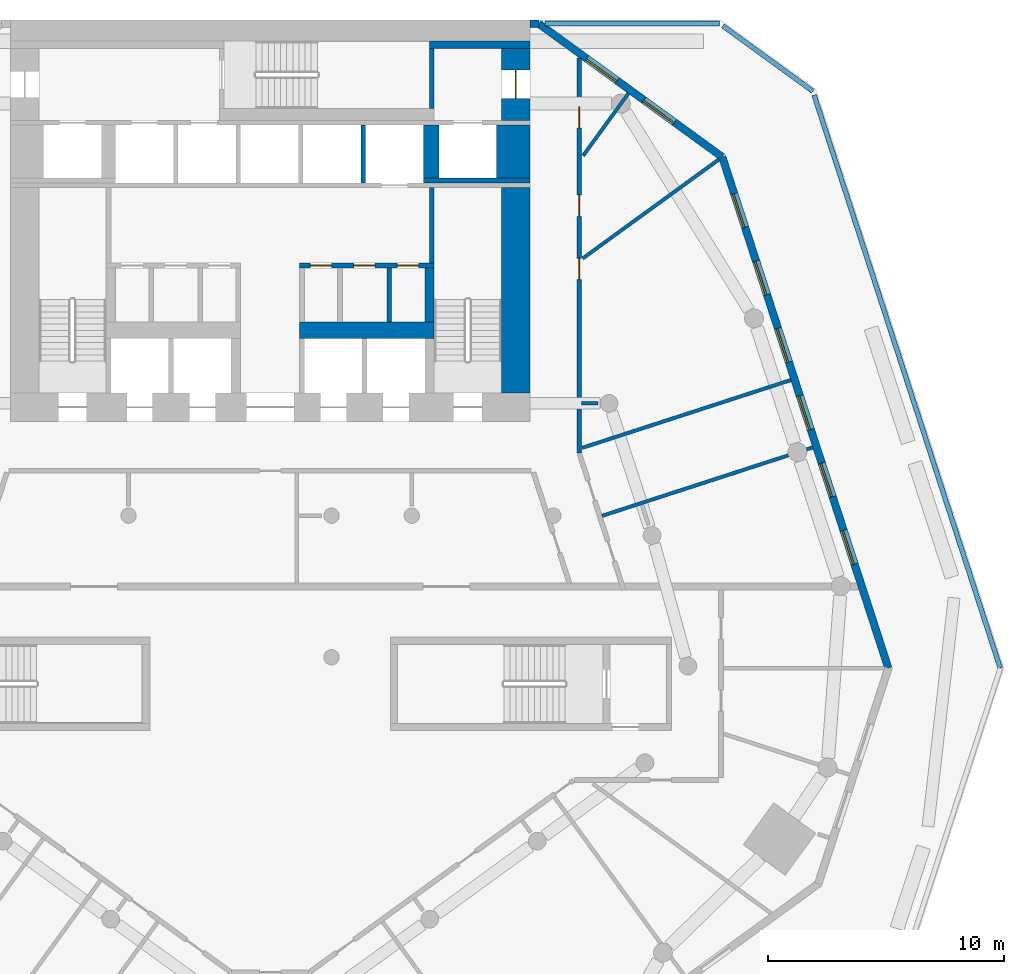
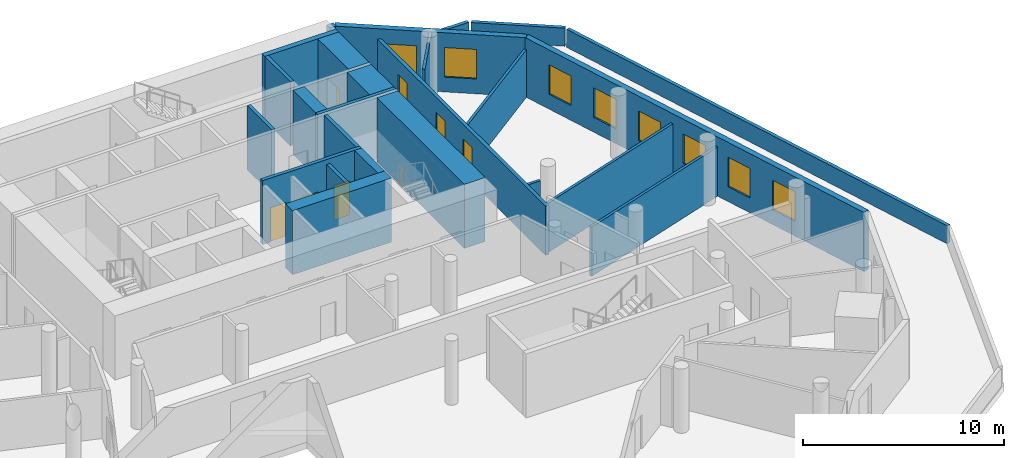
# One storey, part 7 of 10: 25 walls, 8 windows, 7 doors, 15 openings.
"""IFC4 building model written with IfcOpenShell, lengths in metres."""

from ifc_helpers import new_model, si_unit, direction, frame, frame_2d, origin, place, context, subcontext, project, spatial, rectangle, extrude, material, layer, layer_set, type_object, element, fill, save


model = new_model("IFC4")

# Units and contexts
model_context = context("Model", 3, precision=1e-05, world=origin(), true_north=direction((0.0, 1.0)))
body_context = subcontext(model_context, "Body", "Model", "MODEL_VIEW")
ifc_project = project(units=[si_unit("LENGTHUNIT", "METRE"), si_unit("AREAUNIT", "SQUARE_METRE"), si_unit("VOLUMEUNIT", "CUBIC_METRE"), si_unit("PLANEANGLEUNIT", "RADIAN"), si_unit("MASSUNIT", "GRAM", prefix="KILO")], contexts=[model_context])

# Site, building, storey
site_placement = place(None, origin())
site = spatial("IfcSite", under=ifc_project, at=site_placement, CompositionType="ELEMENT")
building_placement = place(site_placement, origin())
building = spatial("IfcBuilding", under=site, at=building_placement, Name="White Candle Pilgrim Tower", CompositionType="ELEMENT")
storey_placement = place(building_placement, frame((0.0, 0.0, 39.0)))
storey = spatial("IfcBuildingStorey", under=building, at=storey_placement, Name="L06", CompositionType="ELEMENT", Elevation=39.0)

# Wall, opening, door
ifc_material_1 = material(Name="Concrete C70/85", Category="concrete")
ifc_layer_1 = layer(ifc_material_1, 1.199951171875)
ifc_layer_set_1 = layer_set([ifc_layer_1], Name="Core wall 1200 mm Concrete C70/85")
wall_type_1 = type_object("IfcWallType", Name="Core wall 1200 mm Concrete C70/85", PredefinedType="SHEAR", material=ifc_layer_set_1)
wall_1_placement = place(storey_placement, frame((80.39990234375, 83.75, 0.0), z_axis=(0.0, 0.0, 1.0), x_axis=(0.0, 1.0, 0.0)))
wall_1 = element("IfcWall", 1, at=wall_1_placement, inside=storey, type_object=wall_type_1, Name="WL-L06-C48", PredefinedType="SHEAR", context=body_context, shape_type="SweptSolid", body=[
    extrude(rectangle(XDim=3.050048828125, YDim=1.199951171875, at=frame_2d((1.52490234375, 0.0))), origin(), (0.0, 0.0, 1.0), 3.89990234375),
])
opening_1_placement = place(wall_1_placement, frame((0.925048828125, 0.0, 0.0)))
opening_1 = element("IfcOpeningElement", 2, at=opening_1_placement, cuts=wall_1, Name="Opening T01-006", PredefinedType="OPENING", context=body_context, shape_type="SweptSolid", body=[
    extrude(rectangle(XDim=1.199951171875, YDim=2.10009765625, at=frame_2d((0.60009765625, 1.050048828125))), frame((0.0, 0.60986328125, 0.0), z_axis=(0.0, -1.0, 0.0), x_axis=(1.0, 0.0, 0.0)), (0.0, 0.0, 1.0), 1.219970703125),
])
ifc_material_2 = material(Name="Steel door leaf", Category="steel")
door_type_1 = type_object("IfcDoorType", Name="Fire door 1200 x 2100 EI 30", OperationType="NOTDEFINED", PredefinedType="DOOR", material=ifc_material_2)
door_1_placement = place(opening_1_placement, origin())
door_1 = element("IfcDoor", 3, at=door_1_placement, inside=storey, type_object=door_type_1, Name="Door T01-006", OperationType="SINGLE_SWING_RIGHT", OverallHeight=2.10009765625, OverallWidth=1.199951171875, PredefinedType="DOOR", context=body_context, shape_type="SweptSolid", body=[
    extrude(rectangle(XDim=1.199951171875, YDim=2.10009765625, at=frame_2d((0.60009765625, 1.050048828125))), frame((0.0, 0.02490234375, 0.0), z_axis=(0.0, -1.0, 0.0), x_axis=(1.0, 0.0, 0.0)), (0.0, 0.0, 1.0), 0.050048828125),
])
fill(opening_1, door_1)

# Walls
ifc_layer_2 = layer(ifc_material_1, 1.39990234375)
ifc_layer_set_2 = layer_set([ifc_layer_2], Name="Core wall 1400 mm Concrete C70/85")
wall_type_2 = type_object("IfcWallType", Name="Core wall 1400 mm Concrete C70/85", PredefinedType="SHEAR", material=ifc_layer_set_2)
wall_2_placement = place(storey_placement, frame((80.300048828125, 81.300048828125, 0.0), z_axis=(0.0, 0.0, 1.0), x_axis=(0.0, 1.0, 0.0)))
element("IfcWall", 4, at=wall_2_placement, inside=storey, type_object=wall_type_2, Name="WL-L06-C44", PredefinedType="SHEAR", context=body_context, shape_type="SweptSolid", body=[
    extrude(rectangle(XDim=2.25, YDim=1.39990234375, at=frame_2d((1.125, 0.0))), origin(), (0.0, 0.0, 1.0), 3.89990234375),
])
ifc_layer_3 = layer(ifc_material_1, 0.199951171875)
ifc_layer_set_3 = layer_set([ifc_layer_3], Name="Core wall 200 mm Concrete C70/85")
wall_type_3 = type_object("IfcWallType", Name="Core wall 200 mm Concrete C70/85", PredefinedType="SHEAR", material=ifc_layer_set_3)
wall_3_placement = place(storey_placement, frame((76.5, 81.199951171875, 0.0), z_axis=(0.0, 0.0, 1.0), x_axis=(1.0, 0.0, 0.0)))
element("IfcWall", 5, at=wall_3_placement, inside=storey, type_object=wall_type_3, Name="WL-L06-C40", PredefinedType="SHEAR", context=body_context, shape_type="SweptSolid", body=[
    extrude(rectangle(XDim=4.5, YDim=0.199951171875, at=frame_2d((2.25, 0.0))), origin(), (0.0, 0.0, 1.0), 3.89990234375),
])

# Wall, openings, doors
ifc_material_3 = material(Name="Gypsum board on steel studs", Category="steel")
ifc_layer_4 = layer(ifc_material_3, 0.199951171875)
ifc_layer_set_4 = layer_set([ifc_layer_4], Name="Corridor wall 200 mm EI 45")
wall_type_4 = type_object("IfcWallType", Name="Corridor wall 200 mm EI 45", PredefinedType="PARTITIONING", material=ifc_layer_set_4)
wall_4_placement = place(storey_placement, frame((83.10009765625, 86.396240234375, 0.0), z_axis=(0.0, 0.0, 1.0), x_axis=(0.0, -1.0, 0.0)))
wall_4 = element("IfcWall", 6, at=wall_4_placement, inside=storey, type_object=wall_type_4, Name="WL-L06-P004", PredefinedType="PARTITIONING", context=body_context, shape_type="SweptSolid", body=[
    extrude(rectangle(XDim=16.745849609375, YDim=0.199951171875, at=frame_2d((8.373046875, 0.0))), origin(), (0.0, 0.0, 1.0), 3.0),
])
opening_2_placement = place(wall_4_placement, frame((2.06201171875, 0.0, 0.0)))
opening_2 = element("IfcOpeningElement", 7, at=opening_2_placement, cuts=wall_4, Name="Opening T01-122", PredefinedType="OPENING", context=body_context, shape_type="SweptSolid", body=[
    extrude(rectangle(XDim=0.89990234375, YDim=2.10009765625, at=frame_2d((0.449951171875, 1.050048828125))), frame((0.0, 0.10986328125, 0.0), z_axis=(0.0, -1.0, 0.0), x_axis=(1.0, 0.0, 0.0)), (0.0, 0.0, 1.0), 0.219970703125),
])
opening_3_placement = place(wall_4_placement, frame((5.81787109375, 0.0, 0.0)))
opening_3 = element("IfcOpeningElement", 8, at=opening_3_placement, cuts=wall_4, Name="Opening T01-123", PredefinedType="OPENING", context=body_context, shape_type="SweptSolid", body=[
    extrude(rectangle(XDim=0.89990234375, YDim=2.10009765625, at=frame_2d((0.449951171875, 1.050048828125))), frame((0.0, 0.10986328125, 0.0), z_axis=(0.0, -1.0, 0.0), x_axis=(1.0, 0.0, 0.0)), (0.0, 0.0, 1.0), 0.219970703125),
])
opening_4_placement = place(wall_4_placement, frame((8.498046875, 0.0, 0.0)))
opening_4 = element("IfcOpeningElement", 9, at=opening_4_placement, cuts=wall_4, Name="Opening T01-124", PredefinedType="OPENING", context=body_context, shape_type="SweptSolid", body=[
    extrude(rectangle(XDim=0.89990234375, YDim=2.10009765625, at=frame_2d((0.449951171875, 1.050048828125))), frame((0.0, 0.10986328125, 0.0), z_axis=(0.0, -1.0, 0.0), x_axis=(1.0, 0.0, 0.0)), (0.0, 0.0, 1.0), 0.219970703125),
])
door_type_2 = type_object("IfcDoorType", Name="Fire door 900 x 2100 EI 30", OperationType="NOTDEFINED", PredefinedType="DOOR", material=ifc_material_2)
door_2_placement = place(opening_2_placement, origin())
door_2 = element("IfcDoor", 10, at=door_2_placement, inside=storey, type_object=door_type_2, Name="Door T01-122", OperationType="SINGLE_SWING_RIGHT", OverallHeight=2.10009765625, OverallWidth=0.89990234375, PredefinedType="DOOR", context=body_context, shape_type="SweptSolid", body=[
    extrude(rectangle(XDim=0.89990234375, YDim=2.10009765625, at=frame_2d((0.449951171875, 1.050048828125))), frame((0.0, 0.02490234375, 0.0), z_axis=(0.0, -1.0, 0.0), x_axis=(1.0, 0.0, 0.0)), (0.0, 0.0, 1.0), 0.050048828125),
])
fill(opening_2, door_2)
door_3_placement = place(opening_3_placement, origin())
door_3 = element("IfcDoor", 11, at=door_3_placement, inside=storey, type_object=door_type_2, Name="Door T01-123", OperationType="SINGLE_SWING_LEFT", OverallHeight=2.10009765625, OverallWidth=0.89990234375, PredefinedType="DOOR", context=body_context, shape_type="SweptSolid", body=[
    extrude(rectangle(XDim=0.89990234375, YDim=2.10009765625, at=frame_2d((0.449951171875, 1.050048828125))), frame((0.0, 0.02490234375, 0.0), z_axis=(0.0, -1.0, 0.0), x_axis=(1.0, 0.0, 0.0)), (0.0, 0.0, 1.0), 0.050048828125),
])
fill(opening_3, door_3)
door_4_placement = place(opening_4_placement, frame((0.89990234375, 0.0, 0.0), z_axis=(0.0, 0.0, 1.0), x_axis=(-1.0, 0.0, 0.0)))
door_4 = element("IfcDoor", 12, at=door_4_placement, inside=storey, type_object=door_type_2, Name="Door T01-124", OperationType="SINGLE_SWING_LEFT", OverallHeight=2.10009765625, OverallWidth=0.89990234375, PredefinedType="DOOR", context=body_context, shape_type="SweptSolid", body=[
    extrude(rectangle(XDim=0.89990234375, YDim=2.10009765625, at=frame_2d((0.449951171875, 1.050048828125))), frame((0.0, 0.02490234375, 0.0), z_axis=(0.0, -1.0, 0.0), x_axis=(1.0, 0.0, 0.0)), (0.0, 0.0, 1.0), 0.050048828125),
])
fill(opening_4, door_4)

# Wall, openings, windows
ifc_material_4 = material(Name="Precast concrete C40/50", Category="concrete")
ifc_layer_5 = layer(ifc_material_4, 0.320068359375)
ifc_layer_set_5 = layer_set([ifc_layer_5], Name="Facade wall EW1 precast concrete C40/50 pier wall with timber-lined reveals")
wall_type_5 = type_object("IfcWallType", Name="Facade wall EW1 precast concrete C40/50 pier wall with timber-lined reveals", PredefinedType="SOLIDWALL", material=ifc_layer_set_5)
wall_5_placement = place(storey_placement, frame((96.19140625, 60.5390625, 0.0), z_axis=(0.0, 0.0, 1.0), x_axis=(-0.309016733543, 0.951056601045, 0.0)))
wall_5 = element("IfcWall", 13, at=wall_5_placement, inside=storey, type_object=wall_type_5, Name="Facade wall L06 ENE", PredefinedType="SOLIDWALL", context=body_context, shape_type="SweptSolid", body=[
    extrude(rectangle(XDim=22.770263671875, YDim=0.320068359375, at=frame_2d((11.38525390625, 0.0))), origin(), (0.0, 0.0, 1.0), 3.60009765625),
])
opening_5_placement = place(wall_5_placement, frame((4.635009765625, 0.0, 0.89990234375)))
opening_5 = element("IfcOpeningElement", 14, at=opening_5_placement, cuts=wall_5, Name="Opening W1", PredefinedType="OPENING", context=body_context, shape_type="SweptSolid", body=[
    extrude(rectangle(XDim=1.5, YDim=1.800048828125, at=frame_2d((0.75, 0.89990234375))), frame((0.0, 0.169921875, 0.0), z_axis=(0.0, -1.0, 0.0), x_axis=(1.0, 0.0, 0.0)), (0.0, 0.0, 1.0), 0.340087890625),
])
opening_6_placement = place(wall_5_placement, frame((7.635009765625, 0.0, 0.89990234375)))
opening_6 = element("IfcOpeningElement", 15, at=opening_6_placement, cuts=wall_5, Name="Opening W1", PredefinedType="OPENING", context=body_context, shape_type="SweptSolid", body=[
    extrude(rectangle(XDim=1.5, YDim=1.800048828125, at=frame_2d((0.75, 0.89990234375))), frame((0.0, 0.169921875, 0.0), z_axis=(0.0, -1.0, 0.0), x_axis=(1.0, 0.0, 0.0)), (0.0, 0.0, 1.0), 0.340087890625),
])
opening_7_placement = place(wall_5_placement, frame((10.635009765625, 0.0, 0.89990234375)))
opening_7 = element("IfcOpeningElement", 16, at=opening_7_placement, cuts=wall_5, Name="Opening W1", PredefinedType="OPENING", context=body_context, shape_type="SweptSolid", body=[
    extrude(rectangle(XDim=1.5, YDim=1.800048828125, at=frame_2d((0.75, 0.89990234375))), frame((0.0, 0.169921875, 0.0), z_axis=(0.0, -1.0, 0.0), x_axis=(1.0, 0.0, 0.0)), (0.0, 0.0, 1.0), 0.340087890625),
])
opening_8_placement = place(wall_5_placement, frame((13.635009765625, 0.0, 0.89990234375)))
opening_8 = element("IfcOpeningElement", 17, at=opening_8_placement, cuts=wall_5, Name="Opening W1", PredefinedType="OPENING", context=body_context, shape_type="SweptSolid", body=[
    extrude(rectangle(XDim=1.5, YDim=1.800048828125, at=frame_2d((0.75, 0.89990234375))), frame((0.0, 0.169921875, 0.0), z_axis=(0.0, -1.0, 0.0), x_axis=(1.0, 0.0, 0.0)), (0.0, 0.0, 1.0), 0.340087890625),
])
opening_9_placement = place(wall_5_placement, frame((16.635009765625, 0.0, 0.89990234375)))
opening_9 = element("IfcOpeningElement", 18, at=opening_9_placement, cuts=wall_5, Name="Opening W1", PredefinedType="OPENING", context=body_context, shape_type="SweptSolid", body=[
    extrude(rectangle(XDim=1.5, YDim=1.800048828125, at=frame_2d((0.75, 0.89990234375))), frame((0.0, 0.169921875, 0.0), z_axis=(0.0, -1.0, 0.0), x_axis=(1.0, 0.0, 0.0)), (0.0, 0.0, 1.0), 0.340087890625),
])
opening_10_placement = place(wall_5_placement, frame((19.635009765625, 0.0, 0.89990234375)))
opening_10 = element("IfcOpeningElement", 19, at=opening_10_placement, cuts=wall_5, Name="Opening W1", PredefinedType="OPENING", context=body_context, shape_type="SweptSolid", body=[
    extrude(rectangle(XDim=1.5, YDim=1.800048828125, at=frame_2d((0.75, 0.89990234375))), frame((0.0, 0.169921875, 0.0), z_axis=(0.0, -1.0, 0.0), x_axis=(1.0, 0.0, 0.0)), (0.0, 0.0, 1.0), 0.340087890625),
])
ifc_material_5 = material(Name="Timber frame with triple glazing", Category="wood")
window_type_1 = type_object("IfcWindowType", Name="Window W1 1500x1800 timber frame triple glazing", PartitioningType="SINGLE_PANEL", PredefinedType="WINDOW", material=ifc_material_5)
window_1_placement = place(opening_5_placement, origin())
window_1 = element("IfcWindow", 20, at=window_1_placement, inside=storey, type_object=window_type_1, Name="Window W1 L06 ENE 2", OverallHeight=1.800048828125, OverallWidth=1.5, PartitioningType="SINGLE_PANEL", PredefinedType="WINDOW", context=body_context, shape_type="SweptSolid", body=[
    extrude(rectangle(XDim=1.5, YDim=1.800048828125, at=frame_2d((0.75, 0.89990234375))), frame((0.0, 0.070068359375, 0.0), z_axis=(0.0, -1.0, 0.0), x_axis=(1.0, 0.0, 0.0)), (0.0, 0.0, 1.0), 0.06005859375),
])
fill(opening_5, window_1)
window_2_placement = place(opening_6_placement, origin())
window_2 = element("IfcWindow", 21, at=window_2_placement, inside=storey, type_object=window_type_1, Name="Window W1 L06 ENE 3", OverallHeight=1.800048828125, OverallWidth=1.5, PartitioningType="SINGLE_PANEL", PredefinedType="WINDOW", context=body_context, shape_type="SweptSolid", body=[
    extrude(rectangle(XDim=1.5, YDim=1.800048828125, at=frame_2d((0.75, 0.89990234375))), frame((0.0, 0.070068359375, 0.0), z_axis=(0.0, -1.0, 0.0), x_axis=(1.0, 0.0, 0.0)), (0.0, 0.0, 1.0), 0.06005859375),
])
fill(opening_6, window_2)
window_3_placement = place(opening_7_placement, origin())
window_3 = element("IfcWindow", 22, at=window_3_placement, inside=storey, type_object=window_type_1, Name="Window W1 L06 ENE 4", OverallHeight=1.800048828125, OverallWidth=1.5, PartitioningType="SINGLE_PANEL", PredefinedType="WINDOW", context=body_context, shape_type="SweptSolid", body=[
    extrude(rectangle(XDim=1.5, YDim=1.800048828125, at=frame_2d((0.75, 0.89990234375))), frame((0.0, 0.070068359375, 0.0), z_axis=(0.0, -1.0, 0.0), x_axis=(1.0, 0.0, 0.0)), (0.0, 0.0, 1.0), 0.06005859375),
])
fill(opening_7, window_3)
window_4_placement = place(opening_8_placement, origin())
window_4 = element("IfcWindow", 23, at=window_4_placement, inside=storey, type_object=window_type_1, Name="Window W1 L06 ENE 5", OverallHeight=1.800048828125, OverallWidth=1.5, PartitioningType="SINGLE_PANEL", PredefinedType="WINDOW", context=body_context, shape_type="SweptSolid", body=[
    extrude(rectangle(XDim=1.5, YDim=1.800048828125, at=frame_2d((0.75, 0.89990234375))), frame((0.0, 0.070068359375, 0.0), z_axis=(0.0, -1.0, 0.0), x_axis=(1.0, 0.0, 0.0)), (0.0, 0.0, 1.0), 0.06005859375),
])
fill(opening_8, window_4)
window_5_placement = place(opening_9_placement, origin())
window_5 = element("IfcWindow", 24, at=window_5_placement, inside=storey, type_object=window_type_1, Name="Window W1 L06 ENE 6", OverallHeight=1.800048828125, OverallWidth=1.5, PartitioningType="SINGLE_PANEL", PredefinedType="WINDOW", context=body_context, shape_type="SweptSolid", body=[
    extrude(rectangle(XDim=1.5, YDim=1.800048828125, at=frame_2d((0.75, 0.89990234375))), frame((0.0, 0.070068359375, 0.0), z_axis=(0.0, -1.0, 0.0), x_axis=(1.0, 0.0, 0.0)), (0.0, 0.0, 1.0), 0.06005859375),
])
fill(opening_9, window_5)
window_6_placement = place(opening_10_placement, origin())
window_6 = element("IfcWindow", 25, at=window_6_placement, inside=storey, type_object=window_type_1, Name="Window W1 L06 ENE 7", OverallHeight=1.800048828125, OverallWidth=1.5, PartitioningType="SINGLE_PANEL", PredefinedType="WINDOW", context=body_context, shape_type="SweptSolid", body=[
    extrude(rectangle(XDim=1.5, YDim=1.800048828125, at=frame_2d((0.75, 0.89990234375))), frame((0.0, 0.070068359375, 0.0), z_axis=(0.0, -1.0, 0.0), x_axis=(1.0, 0.0, 0.0)), (0.0, 0.0, 1.0), 0.06005859375),
])
fill(opening_10, window_6)

wall_6_placement = place(storey_placement, frame((89.155029296875, 82.19482421875, 0.0), z_axis=(0.0, 0.0, 1.0), x_axis=(-0.809016299274, 0.587786209015, 0.0)))
wall_6 = element("IfcWall", 26, at=wall_6_placement, inside=storey, type_object=wall_type_5, Name="Facade wall L06 NE chamfer", PredefinedType="SOLIDWALL", context=body_context, shape_type="SweptSolid", body=[
    extrude(rectangle(XDim=9.604248046875, YDim=0.320068359375, at=frame_2d((4.80224609375, 0.0))), origin(), (0.0, 0.0, 1.0), 3.60009765625),
])
opening_11_placement = place(wall_6_placement, frame((2.502197265625, 0.0, 0.89990234375)))
opening_11 = element("IfcOpeningElement", 27, at=opening_11_placement, cuts=wall_6, Name="Opening W2", PredefinedType="OPENING", context=body_context, shape_type="SweptSolid", body=[
    extrude(rectangle(XDim=1.60009765625, YDim=1.800048828125, at=frame_2d((0.800048828125, 0.89990234375))), frame((0.0, 0.169921875, 0.0), z_axis=(0.0, -1.0, 0.0), x_axis=(1.0, 0.0, 0.0)), (0.0, 0.0, 1.0), 0.340087890625),
])
opening_12_placement = place(wall_6_placement, frame((5.502197265625, 0.0, 0.89990234375)))
opening_12 = element("IfcOpeningElement", 28, at=opening_12_placement, cuts=wall_6, Name="Opening W2", PredefinedType="OPENING", context=body_context, shape_type="SweptSolid", body=[
    extrude(rectangle(XDim=1.60009765625, YDim=1.800048828125, at=frame_2d((0.800048828125, 0.89990234375))), frame((0.0, 0.169921875, 0.0), z_axis=(0.0, -1.0, 0.0), x_axis=(1.0, 0.0, 0.0)), (0.0, 0.0, 1.0), 0.340087890625),
])
window_type_2 = type_object("IfcWindowType", Name="Window W2 1600x1800 timber frame triple glazing", PartitioningType="SINGLE_PANEL", PredefinedType="WINDOW", material=ifc_material_5)
window_7_placement = place(opening_11_placement, origin())
window_7 = element("IfcWindow", 29, at=window_7_placement, inside=storey, type_object=window_type_2, Name="Window W2 L06 NE chamfer 1", OverallHeight=1.800048828125, OverallWidth=1.60009765625, PartitioningType="SINGLE_PANEL", PredefinedType="WINDOW", context=body_context, shape_type="SweptSolid", body=[
    extrude(rectangle(XDim=1.60009765625, YDim=1.800048828125, at=frame_2d((0.800048828125, 0.89990234375))), frame((0.0, 0.070068359375, 0.0), z_axis=(0.0, -1.0, 0.0), x_axis=(1.0, 0.0, 0.0)), (0.0, 0.0, 1.0), 0.06005859375),
])
fill(opening_11, window_7)
window_8_placement = place(opening_12_placement, origin())
window_8 = element("IfcWindow", 30, at=window_8_placement, inside=storey, type_object=window_type_2, Name="Window W2 L06 NE chamfer 2", OverallHeight=1.800048828125, OverallWidth=1.60009765625, PartitioningType="SINGLE_PANEL", PredefinedType="WINDOW", context=body_context, shape_type="SweptSolid", body=[
    extrude(rectangle(XDim=1.60009765625, YDim=1.800048828125, at=frame_2d((0.800048828125, 0.89990234375))), frame((0.0, 0.070068359375, 0.0), z_axis=(0.0, -1.0, 0.0), x_axis=(1.0, 0.0, 0.0)), (0.0, 0.0, 1.0), 0.06005859375),
])
fill(opening_12, window_8)

# Walls
wall_7_placement = place(storey_placement, frame((81.385009765625, 87.840087890625, 0.0), z_axis=(0.0, 0.0, 1.0), x_axis=(-1.0, 0.0, 0.0)))
element("IfcWall", 31, at=wall_7_placement, inside=storey, type_object=wall_type_5, Name="Facade wall L06 N", PredefinedType="SOLIDWALL", context=body_context, shape_type="SweptSolid", body=[
    extrude(rectangle(XDim=0.385009765625, YDim=0.320068359375, at=frame_2d((0.1923828125, 0.0))), origin(), (0.0, 0.0, 1.0), 3.60009765625),
])
ifc_layer_6 = layer(ifc_material_3, 0.199951171875)
ifc_layer_set_6 = layer_set([ifc_layer_6], Name="Lobby wall 200 mm EI 60")
wall_type_6 = type_object("IfcWallType", Name="Lobby wall 200 mm EI 60", PredefinedType="PARTITIONING", material=ifc_layer_set_6)
wall_8_placement = place(storey_placement, frame((75.0400390625, 75.199951171875, 0.0), z_axis=(0.0, 0.0, 1.0), x_axis=(0.0, 1.0, 0.0)))
element("IfcWall", 32, at=wall_8_placement, inside=storey, type_object=wall_type_6, Name="WL-L06-C28", PredefinedType="PARTITIONING", context=body_context, shape_type="SweptSolid", body=[
    extrude(rectangle(XDim=2.300048828125, YDim=0.199951171875, at=frame_2d((1.14990234375, 0.0))), origin(), (0.0, 0.0, 1.0), 3.60009765625),
])
ifc_layer_7 = layer(ifc_material_3, 0.14990234375)
ifc_layer_set_7 = layer_set([ifc_layer_7], Name="Partition 150 mm EI 60")
wall_type_7 = type_object("IfcWallType", Name="Partition 150 mm EI 60", PredefinedType="PARTITIONING", material=ifc_layer_set_7)
wall_9_placement = place(storey_placement, frame((89.018798828125, 82.095947265625, 0.0), z_axis=(0.0, 0.0, 1.0), x_axis=(-0.808999272552, -0.587809643516, 0.0)))
element("IfcWall", 33, at=wall_9_placement, inside=storey, type_object=wall_type_7, Name="WL-L06-P023", PredefinedType="PARTITIONING", context=body_context, shape_type="SweptSolid", body=[
    extrude(rectangle(XDim=7.137939453125, YDim=0.14990234375, at=frame_2d((3.56884765625, 0.0))), origin(), (0.0, 0.0, 1.0), 2.89990234375),
])
wall_10_placement = place(storey_placement, frame((92.984619140625, 69.890869140625, 0.0), z_axis=(0.0, 0.0, 1.0), x_axis=(-0.951060843481, -0.309003676349, 0.0)))
element("IfcWall", 34, at=wall_10_placement, inside=storey, type_object=wall_type_7, Name="WL-L06-P035", PredefinedType="PARTITIONING", context=body_context, shape_type="SweptSolid", body=[
    extrude(rectangle(XDim=9.3798828125, YDim=0.14990234375, at=frame_2d((4.68994140625, 0.0))), origin(), (0.0, 0.0, 1.0), 3.0),
])
wall_11_placement = place(storey_placement, frame((92.0576171875, 72.744140625, 0.0), z_axis=(0.0, 0.0, 1.0), x_axis=(-0.951060719187, -0.309004058904, 0.0)))
element("IfcWall", 35, at=wall_11_placement, inside=storey, type_object=wall_type_7, Name="WL-L06-P036", PredefinedType="PARTITIONING", context=body_context, shape_type="SweptSolid", body=[
    extrude(rectangle(XDim=9.2890625, YDim=0.14990234375, at=frame_2d((4.64453125, 0.0))), origin(), (0.0, 0.0, 1.0), 3.0),
])
wall_12_placement = place(storey_placement, frame((85.176025390625, 84.887939453125, 0.0), z_axis=(0.0, 0.0, 1.0), x_axis=(-0.587775139739, -0.809024341479, 0.0)))
element("IfcWall", 36, at=wall_12_placement, inside=storey, type_object=wall_type_7, Name="WL-L06-P037", PredefinedType="PARTITIONING", context=body_context, shape_type="SweptSolid", body=[
    extrude(rectangle(XDim=3.258544921875, YDim=0.14990234375, at=frame_2d((1.62939453125, 0.0))), origin(), (0.0, 0.0, 1.0), 3.60009765625),
])
wall_13_placement = place(storey_placement, frame((83.89501953125, 71.7578125, 0.0), z_axis=(0.0, 0.0, 1.0), x_axis=(-1.0, 0.0, 0.0)))
element("IfcWall", 37, at=wall_13_placement, inside=storey, type_object=wall_type_7, Name="WL-L06-P047", PredefinedType="PARTITIONING", context=body_context, shape_type="SweptSolid", body=[
    extrude(rectangle(XDim=0.695068359375, YDim=0.14990234375, at=frame_2d((0.34765625, 0.0))), origin(), (0.0, 0.0, 1.0), 3.0),
])
ifc_layer_8 = layer(ifc_material_4, 0.199951171875)
ifc_layer_set_8 = layer_set([ifc_layer_8], Name="Roof parapet EW5 precast concrete C40/50 200")
wall_type_8 = type_object("IfcWallType", Name="Roof parapet EW5 precast concrete C40/50 200", PredefinedType="SOLIDWALL", material=ifc_layer_set_8)
wall_14_placement = place(storey_placement, frame((81.6435546875, 87.85009765625, 0.0), z_axis=(0.0, 0.0, 1.0), x_axis=(1.0, 0.0, 0.0)))
element("IfcWall", 38, at=wall_14_placement, inside=storey, type_object=wall_type_8, Name="Roof parapet L05", PredefinedType="SOLIDWALL", context=body_context, shape_type="SweptSolid", body=[
    extrude(rectangle(XDim=7.400634765625, YDim=0.199951171875, at=frame_2d((3.7001953125, 0.0))), origin(), (0.0, 0.0, 1.0), 1.10009765625),
])
wall_15_placement = place(storey_placement, frame((89.181884765625, 87.75, 0.0), z_axis=(0.0, 0.0, 1.0), x_axis=(0.809016245047, -0.587786283652, 0.0)))
element("IfcWall", 39, at=wall_15_placement, inside=storey, type_object=wall_type_8, Name="Roof parapet L05", PredefinedType="SOLIDWALL", context=body_context, shape_type="SweptSolid", body=[
    extrude(rectangle(XDim=4.708984375, YDim=0.199951171875, at=frame_2d((2.3544921875, 0.0))), origin(), (0.0, 0.0, 1.0), 1.10009765625),
])
wall_16_placement = place(storey_placement, frame((93.0439453125, 84.8203125, 0.0), z_axis=(0.0, 0.0, 1.0), x_axis=(0.309015149374, -0.95105711577, 0.0)))
element("IfcWall", 40, at=wall_16_placement, inside=storey, type_object=wall_type_8, Name="Roof parapet L05", PredefinedType="SOLIDWALL", context=body_context, shape_type="SweptSolid", body=[
    extrude(rectangle(XDim=25.53076171875, YDim=0.199951171875, at=frame_2d((12.765380859375, 0.0))), origin(), (0.0, 0.0, 1.0), 1.10009765625),
])
ifc_layer_9 = layer(ifc_material_1, 0.199951171875)
ifc_layer_set_9 = layer_set([ifc_layer_9], Name="Shaft wall 200 mm Concrete C70/85")
wall_type_9 = type_object("IfcWallType", Name="Shaft wall 200 mm Concrete C70/85", PredefinedType="SHEAR", material=ifc_layer_set_9)
wall_17_placement = place(storey_placement, frame((73.949951171875, 81.10009765625, 0.0), z_axis=(0.0, 0.0, 1.0), x_axis=(0.0, 1.0, 0.0)))
element("IfcWall", 41, at=wall_17_placement, inside=storey, type_object=wall_type_9, Name="WL-L06-C39", PredefinedType="SHEAR", context=body_context, shape_type="SweptSolid", body=[
    extrude(rectangle(XDim=2.449951171875, YDim=0.199951171875, at=frame_2d((1.22509765625, 0.0))), origin(), (0.0, 0.0, 1.0), 3.89990234375),
])
ifc_layer_10 = layer(ifc_material_1, 0.64990234375)
ifc_layer_set_10 = layer_set([ifc_layer_10], Name="Shaft wall 650 mm Concrete C70/85")
wall_type_10 = type_object("IfcWallType", Name="Shaft wall 650 mm Concrete C70/85", PredefinedType="SHEAR", material=ifc_layer_set_10)
wall_18_placement = place(storey_placement, frame((76.824951171875, 81.300048828125, 0.0), z_axis=(0.0, 0.0, 1.0), x_axis=(0.0, 1.0, 0.0)))
element("IfcWall", 42, at=wall_18_placement, inside=storey, type_object=wall_type_10, Name="WL-L06-C43", PredefinedType="SHEAR", context=body_context, shape_type="SweptSolid", body=[
    extrude(rectangle(XDim=2.25, YDim=0.64990234375, at=frame_2d((1.125, 0.0))), origin(), (0.0, 0.0, 1.0), 3.89990234375),
])
ifc_layer_11 = layer(ifc_material_1, 1.199951171875)
ifc_layer_set_11 = layer_set([ifc_layer_11], Name="Stair shaft wall 1200 mm Concrete C70/85")
wall_type_11 = type_object("IfcWallType", Name="Stair shaft wall 1200 mm Concrete C70/85", PredefinedType="SHEAR", material=ifc_layer_set_11)
wall_19_placement = place(storey_placement, frame((80.39990234375, 72.199951171875, 0.0), z_axis=(0.0, 0.0, 1.0), x_axis=(0.0, 1.0, 0.0)))
element("IfcWall", 43, at=wall_19_placement, inside=storey, type_object=wall_type_11, Name="WL-L06-C19", PredefinedType="SHEAR", context=body_context, shape_type="SweptSolid", body=[
    extrude(rectangle(XDim=8.699951171875, YDim=1.199951171875, at=frame_2d((4.35009765625, 0.0))), origin(), (0.0, 0.0, 1.0), 3.89990234375),
])

# Wall, openings, doors
ifc_layer_12 = layer(ifc_material_1, 0.199951171875)
ifc_layer_set_12 = layer_set([ifc_layer_12], Name="Stair shaft wall 200 mm Concrete C70/85")
wall_type_12 = type_object("IfcWallType", Name="Stair shaft wall 200 mm Concrete C70/85", PredefinedType="SHEAR", material=ifc_layer_set_12)
wall_20_placement = place(storey_placement, frame((71.25, 77.60009765625, 0.0), z_axis=(0.0, 0.0, 1.0), x_axis=(1.0, 0.0, 0.0)))
wall_20 = element("IfcWall", 44, at=wall_20_placement, inside=storey, type_object=wall_type_12, Name="WL-L06-C31", PredefinedType="SHEAR", context=body_context, shape_type="SweptSolid", body=[
    extrude(rectangle(XDim=5.699951171875, YDim=0.199951171875, at=frame_2d((2.85009765625, 0.0))), origin(), (0.0, 0.0, 1.0), 3.89990234375),
])
opening_13_placement = place(wall_20_placement, frame((0.455078125, 0.0, 0.0)))
opening_13 = element("IfcOpeningElement", 45, at=opening_13_placement, cuts=wall_20, Name="Opening T01-023", PredefinedType="OPENING", context=body_context, shape_type="SweptSolid", body=[
    extrude(rectangle(XDim=0.89990234375, YDim=2.10009765625, at=frame_2d((0.449951171875, 1.050048828125))), frame((0.0, 0.10986328125, 0.0), z_axis=(0.0, -1.0, 0.0), x_axis=(1.0, 0.0, 0.0)), (0.0, 0.0, 1.0), 0.219970703125),
])
opening_14_placement = place(wall_20_placement, frame((2.300048828125, 0.0, 0.0)))
opening_14 = element("IfcOpeningElement", 46, at=opening_14_placement, cuts=wall_20, Name="Opening T01-024", PredefinedType="OPENING", context=body_context, shape_type="SweptSolid", body=[
    extrude(rectangle(XDim=0.89990234375, YDim=2.10009765625, at=frame_2d((0.449951171875, 1.050048828125))), frame((0.0, 0.10986328125, 0.0), z_axis=(0.0, -1.0, 0.0), x_axis=(1.0, 0.0, 0.0)), (0.0, 0.0, 1.0), 0.219970703125),
])
opening_15_placement = place(wall_20_placement, frame((4.14501953125, 0.0, 0.0)))
opening_15 = element("IfcOpeningElement", 47, at=opening_15_placement, cuts=wall_20, Name="Opening T01-025", PredefinedType="OPENING", context=body_context, shape_type="SweptSolid", body=[
    extrude(rectangle(XDim=0.89990234375, YDim=2.10009765625, at=frame_2d((0.449951171875, 1.050048828125))), frame((0.0, 0.10986328125, 0.0), z_axis=(0.0, -1.0, 0.0), x_axis=(1.0, 0.0, 0.0)), (0.0, 0.0, 1.0), 0.219970703125),
])
door_5_placement = place(opening_13_placement, origin())
door_5 = element("IfcDoor", 48, at=door_5_placement, inside=storey, type_object=door_type_2, Name="Door T01-023", OperationType="SINGLE_SWING_LEFT", OverallHeight=2.10009765625, OverallWidth=0.89990234375, PredefinedType="DOOR", context=body_context, shape_type="SweptSolid", body=[
    extrude(rectangle(XDim=0.89990234375, YDim=2.10009765625, at=frame_2d((0.449951171875, 1.050048828125))), frame((0.0, 0.02490234375, 0.0), z_axis=(0.0, -1.0, 0.0), x_axis=(1.0, 0.0, 0.0)), (0.0, 0.0, 1.0), 0.050048828125),
])
fill(opening_13, door_5)
door_6_placement = place(opening_14_placement, origin())
door_6 = element("IfcDoor", 49, at=door_6_placement, inside=storey, type_object=door_type_2, Name="Door T01-024", OperationType="SINGLE_SWING_RIGHT", OverallHeight=2.10009765625, OverallWidth=0.89990234375, PredefinedType="DOOR", context=body_context, shape_type="SweptSolid", body=[
    extrude(rectangle(XDim=0.89990234375, YDim=2.10009765625, at=frame_2d((0.449951171875, 1.050048828125))), frame((0.0, 0.02490234375, 0.0), z_axis=(0.0, -1.0, 0.0), x_axis=(1.0, 0.0, 0.0)), (0.0, 0.0, 1.0), 0.050048828125),
])
fill(opening_14, door_6)
door_7_placement = place(opening_15_placement, origin())
door_7 = element("IfcDoor", 50, at=door_7_placement, inside=storey, type_object=door_type_2, Name="Door T01-025", OperationType="SINGLE_SWING_LEFT", OverallHeight=2.10009765625, OverallWidth=0.89990234375, PredefinedType="DOOR", context=body_context, shape_type="SweptSolid", body=[
    extrude(rectangle(XDim=0.89990234375, YDim=2.10009765625, at=frame_2d((0.449951171875, 1.050048828125))), frame((0.0, 0.02490234375, 0.0), z_axis=(0.0, -1.0, 0.0), x_axis=(1.0, 0.0, 0.0)), (0.0, 0.0, 1.0), 0.050048828125),
])
fill(opening_15, door_7)

# Walls
wall_21_placement = place(storey_placement, frame((76.85009765625, 77.699951171875, 0.0), z_axis=(0.0, 0.0, 1.0), x_axis=(0.0, 1.0, 0.0)))
element("IfcWall", 51, at=wall_21_placement, inside=storey, type_object=wall_type_12, Name="WL-L06-C33", PredefinedType="SHEAR", context=body_context, shape_type="SweptSolid", body=[
    extrude(rectangle(XDim=3.199951171875, YDim=0.199951171875, at=frame_2d((1.60009765625, 0.0))), origin(), (0.0, 0.0, 1.0), 3.89990234375),
])
wall_22_placement = place(storey_placement, frame((76.85009765625, 84.25, 0.0), z_axis=(0.0, 0.0, 1.0), x_axis=(0.0, 1.0, 0.0)))
element("IfcWall", 52, at=wall_22_placement, inside=storey, type_object=wall_type_12, Name="WL-L06-C50", PredefinedType="SHEAR", context=body_context, shape_type="SweptSolid", body=[
    extrude(rectangle(XDim=2.550048828125, YDim=0.199951171875, at=frame_2d((1.27490234375, 0.0))), origin(), (0.0, 0.0, 1.0), 3.89990234375),
])
ifc_layer_13 = layer(ifc_material_1, 0.300048828125)
ifc_layer_set_13 = layer_set([ifc_layer_13], Name="Stair shaft wall 300 mm Concrete C70/85")
wall_type_13 = type_object("IfcWallType", Name="Stair shaft wall 300 mm Concrete C70/85", PredefinedType="SHEAR", material=ifc_layer_set_13)
wall_23_placement = place(storey_placement, frame((76.75, 86.949951171875, 0.0), z_axis=(0.0, 0.0, 1.0), x_axis=(1.0, 0.0, 0.0)))
element("IfcWall", 53, at=wall_23_placement, inside=storey, type_object=wall_type_13, Name="WL-L06-C52", PredefinedType="SHEAR", context=body_context, shape_type="SweptSolid", body=[
    extrude(rectangle(XDim=4.25, YDim=0.300048828125, at=frame_2d((2.125, 0.0))), origin(), (0.0, 0.0, 1.0), 3.89990234375),
])
ifc_layer_14 = layer(ifc_material_1, 0.39990234375)
ifc_layer_set_14 = layer_set([ifc_layer_14], Name="Stair shaft wall 400 mm Concrete C70/85")
wall_type_14 = type_object("IfcWallType", Name="Stair shaft wall 400 mm Concrete C70/85", PredefinedType="SHEAR", material=ifc_layer_set_14)
wall_24_placement = place(storey_placement, frame((76.75, 75.199951171875, 0.0), z_axis=(0.0, 0.0, 1.0), x_axis=(0.0, 1.0, 0.0)))
element("IfcWall", 54, at=wall_24_placement, inside=storey, type_object=wall_type_14, Name="WL-L06-C29", PredefinedType="SHEAR", context=body_context, shape_type="SweptSolid", body=[
    extrude(rectangle(XDim=2.300048828125, YDim=0.39990234375, at=frame_2d((1.14990234375, 0.0))), origin(), (0.0, 0.0, 1.0), 3.89990234375),
])
ifc_layer_15 = layer(ifc_material_1, 0.699951171875)
ifc_layer_set_15 = layer_set([ifc_layer_15], Name="Stair shaft wall 700 mm Concrete C70/85")
wall_type_15 = type_object("IfcWallType", Name="Stair shaft wall 700 mm Concrete C70/85", PredefinedType="SHEAR", material=ifc_layer_set_15)
wall_25_placement = place(storey_placement, frame((71.25, 74.85009765625, 0.0), z_axis=(0.0, 0.0, 1.0), x_axis=(1.0, 0.0, 0.0)))
element("IfcWall", 55, at=wall_25_placement, inside=storey, type_object=wall_type_15, Name="WL-L06-C21", PredefinedType="SHEAR", context=body_context, shape_type="SweptSolid", body=[
    extrude(rectangle(XDim=5.699951171875, YDim=0.699951171875, at=frame_2d((2.85009765625, 0.0))), origin(), (0.0, 0.0, 1.0), 3.89990234375),
])

save(model, "model.ifc")
